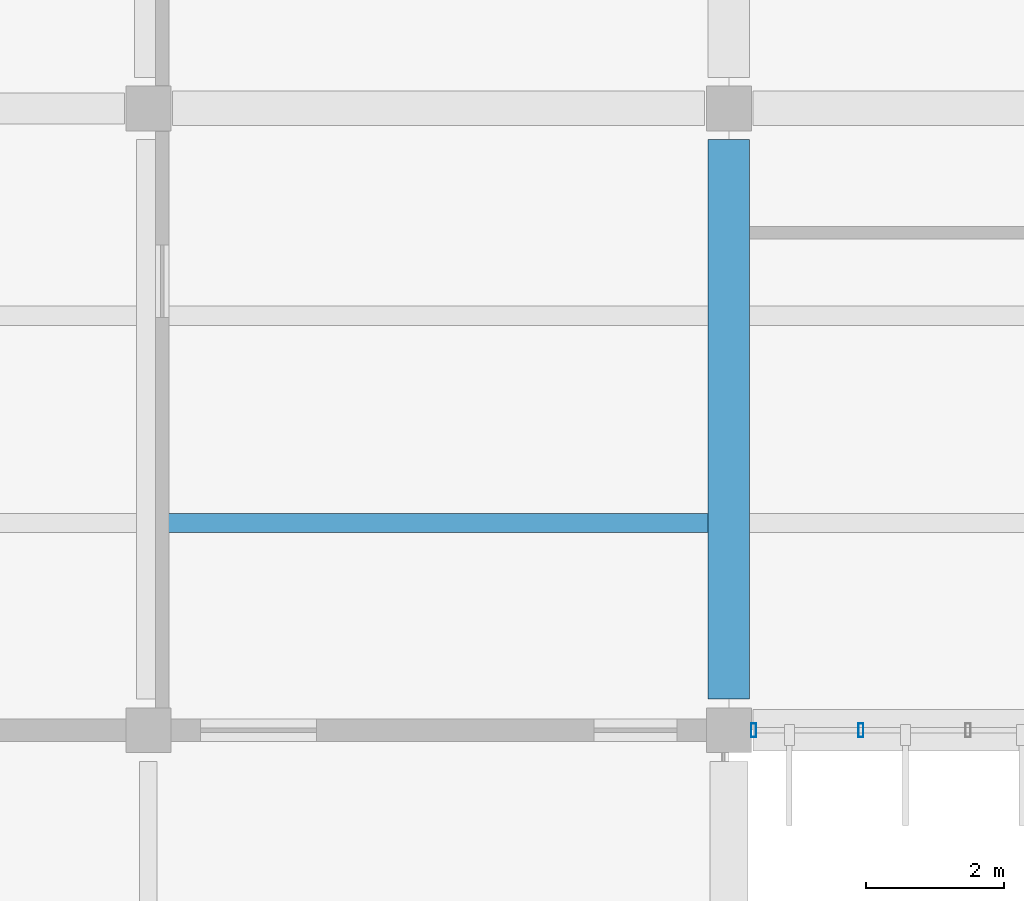
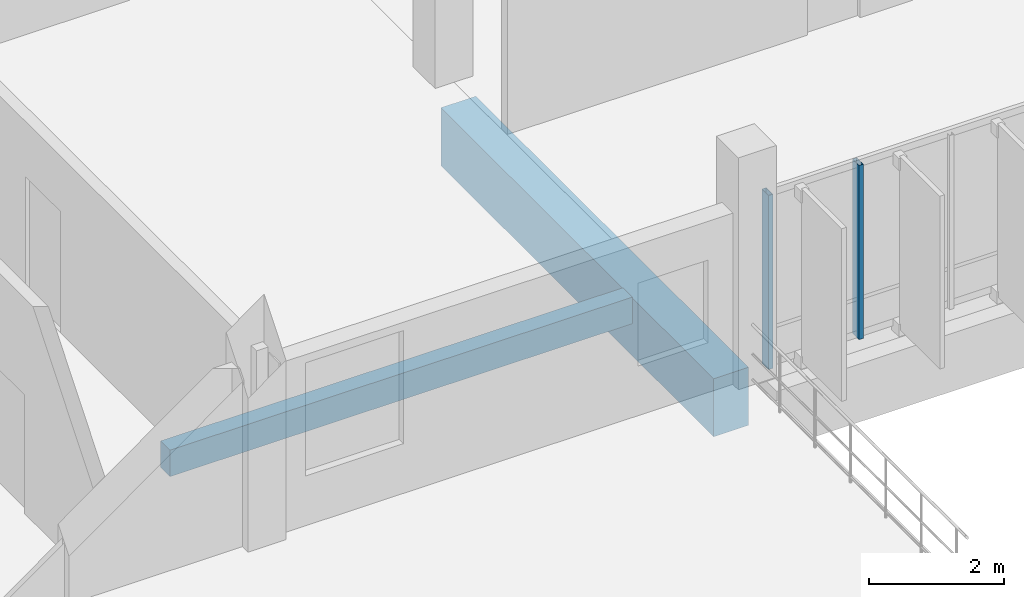
# One storey, part 22 of 101: 2 beams, 2 members, 1 element without a shape of its own.
"""IFC4 building model written with IfcOpenShell, lengths in metres."""

from ifc_helpers import new_model, si_unit, direction, frame, origin, origin_2d, place, context, subcontext, project, spatial, rectangle, hollow_rectangle, extrude, material, layer, layer_set, material_profile, profile_set, type_object, element, aggregate, save


model = new_model("IFC4")

# Units and contexts
model_context = context("Model", 3, precision=1e-05, world=origin(), true_north=direction((0.0, 1.0)))
body_context = subcontext(model_context, "Body", "Model", "MODEL_VIEW")
ifc_project = project(units=[si_unit("LENGTHUNIT", "METRE"), si_unit("AREAUNIT", "SQUARE_METRE"), si_unit("VOLUMEUNIT", "CUBIC_METRE"), si_unit("PLANEANGLEUNIT", "RADIAN"), si_unit("MASSUNIT", "GRAM", prefix="KILO")], contexts=[model_context])

# Site, building, storey
site_placement = place(None, origin())
site = spatial("IfcSite", under=ifc_project, at=site_placement, CompositionType="ELEMENT")
building_placement = place(site_placement, origin())
building = spatial("IfcBuilding", under=site, at=building_placement, Name="Vireocrest Preparatory School", CompositionType="ELEMENT")
storey_placement = place(building_placement, frame((0.0, 0.0, 4.800048828125)))
storey = spatial("IfcBuildingStorey", under=building, at=storey_placement, Name="L01", CompositionType="ELEMENT", Elevation=4.800048828125)

# Curtain wall, members
ifc_material_1 = material(Name="Thermally broken aluminium EN AW-6063-T6", Category="aluminium")
ifc_layer = layer(ifc_material_1, 0.179931640625)
ifc_layer_set = layer_set([ifc_layer], Name="Thermally broken aluminium EN AW-6063-T6")
curtain_wall_type = type_object("IfcCurtainWallType", Name="North Street Curtain Wall 8400x4000", PredefinedType="USERDEFINED", material=ifc_layer_set)
curtain_wall_placement = place(storey_placement, origin())
curtain_wall = element("IfcCurtainWall", 1, at=curtain_wall_placement, inside=storey, type_object=curtain_wall_type, Name="Curtain Wall CW05 CW_L01_CW05_1095_0180_048", ObjectType="CURTAIN WALL", PredefinedType="USERDEFINED")
ifc_material_profile_1 = material_profile(ifc_material_1, hollow_rectangle(XDim=0.074951171875, YDim=0.199951171875, WallThickness=0.0048828125, at=origin_2d()), Name="ALU 75x200x5")
ifc_profile_set_1 = profile_set([ifc_material_profile_1], Name="Thermally broken aluminium EN AW-6063-T6")
member_type = type_object("IfcMemberType", Name="CW Mullion 75x200x5", PredefinedType="MULLION", material=ifc_profile_set_1)
member_1_placement = place(storey_placement, frame((109.56005859375, 18.0, 0.0), z_axis=(0.0, 0.0, 1.0), x_axis=(1.0, 0.0, 0.0)))
member_1 = element("IfcMember", 2, at=member_1_placement, type_object=member_type, Name="CW Mullion ML3 CW_L01_CW05_1095_0180_048-1", PredefinedType="MULLION", context=body_context, shape_type="SweptSolid", body=[
    extrude(hollow_rectangle(XDim=0.074951171875, YDim=0.199951171875, WallThickness=0.0048828125, at=origin_2d()), origin(), (0.0, 0.0, 1.0), 3.155029296875),
])
member_2_placement = place(storey_placement, frame((111.111083984375, 18.0, 0.0), z_axis=(0.0, 0.0, 1.0), x_axis=(1.0, 0.0, 0.0)))
member_2 = element("IfcMember", 3, at=member_2_placement, type_object=member_type, Name="CW Mullion ML3 CW_L01_CW05_1095_0180_048-2", PredefinedType="MULLION", context=body_context, shape_type="SweptSolid", body=[
    extrude(hollow_rectangle(XDim=0.074951171875, YDim=0.199951171875, WallThickness=0.0048828125, at=origin_2d()), origin(), (0.0, 0.0, 1.0), 3.155029296875),
])
aggregate(curtain_wall, [member_1, member_2])

# Beams
ifc_material_2 = material(Name="Concrete 40 MPa", Category="concrete")
ifc_material_profile_2 = material_profile(ifc_material_2, rectangle(XDim=0.280029296875, YDim=0.47998046875, at=origin_2d()), Name="RC 280x480")
ifc_profile_set_2 = profile_set([ifc_material_profile_2], Name="Concrete 40 MPa")
beam_type_1 = type_object("IfcBeamType", Name="RC Secondary Lab Joist 280x480", PredefinedType="JOIST", material=ifc_profile_set_2)
beam_1_placement = place(storey_placement, frame((100.97509765625, 21.0, -0.5), z_axis=(1.0, 0.0, 0.0), x_axis=(0.0, 1.0, 0.0)))
element("IfcBeam", 4, at=beam_1_placement, inside=storey, type_object=beam_type_1, Name="Secondary Joist J02 L01-0609", PredefinedType="JOIST", context=body_context, shape_type="SweptSolid", body=[
    extrude(rectangle(XDim=0.280029296875, YDim=0.47998046875, at=origin_2d()), origin(), (0.0, 0.0, 1.0), 7.9248046875),
])
ifc_material_profile_3 = material_profile(ifc_material_2, rectangle(XDim=0.60009765625, YDim=1.050048828125, at=origin_2d()), Name="RC 600x1050")
ifc_profile_set_3 = profile_set([ifc_material_profile_3], Name="Concrete 40 MPa")
beam_type_2 = type_object("IfcBeamType", Name="RC Transfer Girder 600x1050", PredefinedType="BEAM", material=ifc_profile_set_3)
beam_2_placement = place(storey_placement, frame((109.199951171875, 18.449951171875, -0.804931640625), z_axis=(0.0, 1.0, 0.0), x_axis=(-1.0, 0.0, 0.0)))
element("IfcBeam", 5, at=beam_2_placement, inside=storey, type_object=beam_type_2, Name="Primary Girder B19 L01-0462", PredefinedType="BEAM", context=body_context, shape_type="SweptSolid", body=[
    extrude(rectangle(XDim=0.60009765625, YDim=1.050048828125, at=origin_2d()), origin(), (0.0, 0.0, 1.0), 8.10009765625),
])

save(model, "model.ifc")
